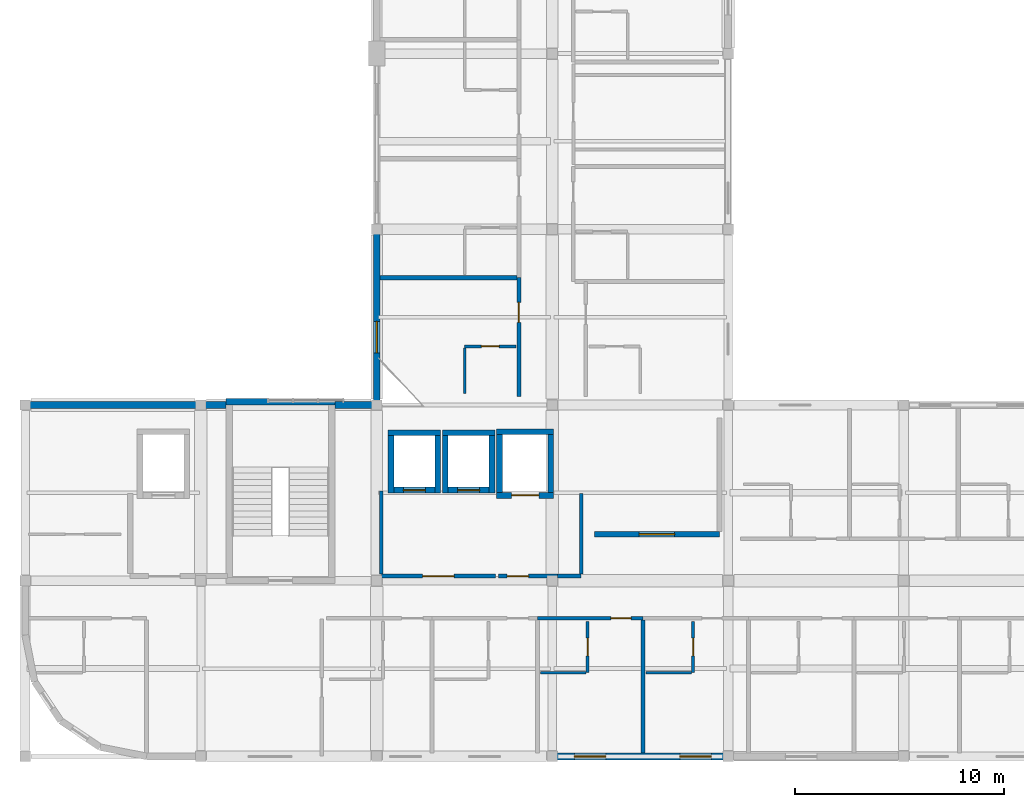
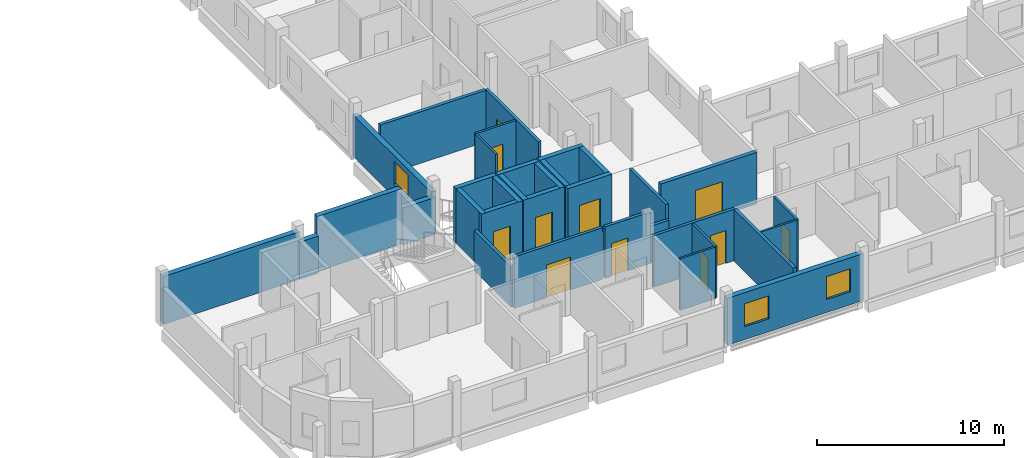
# One storey, part 10 of 20: 34 walls, 11 doors, 3 windows, 14 openings.
"""IFC4 building model written with IfcOpenShell, lengths in metres."""

from ifc_helpers import new_model, si_unit, derived_unit, direction, frame, frame_2d, origin, place, context, subcontext, project, spatial, rectangle, extrude, material, layer, layer_set, type_object, element, fill, save


model = new_model("IFC4")

# Units and contexts
model_context = context("Model", 3, precision=1e-05, world=origin(), true_north=direction((0.0, 1.0)))
body_context = subcontext(model_context, "Body", "Model", "MODEL_VIEW")
ifc_project = project(units=[si_unit("LENGTHUNIT", "METRE"), si_unit("AREAUNIT", "SQUARE_METRE"), si_unit("VOLUMEUNIT", "CUBIC_METRE"), si_unit("PLANEANGLEUNIT", "RADIAN"), si_unit("MASSUNIT", "GRAM", prefix="KILO"), derived_unit("THERMALTRANSMITTANCEUNIT", [(si_unit("POWERUNIT", "WATT"), 1), (si_unit("LENGTHUNIT", "METRE"), -2), (si_unit("THERMODYNAMICTEMPERATUREUNIT", "KELVIN"), -1)])], contexts=[model_context])

# Site, building, storey
site_placement = place(None, origin())
site = spatial("IfcSite", under=ifc_project, at=site_placement, CompositionType="ELEMENT")
building_placement = place(site_placement, origin())
building = spatial("IfcBuilding", under=site, at=building_placement, Name="Barrovel Congress Hotel", CompositionType="ELEMENT")
storey_placement = place(building_placement, frame((0.0, 0.0, 39.89990234375)))
storey = spatial("IfcBuildingStorey", under=building, at=storey_placement, Name="L10", CompositionType="ELEMENT", Elevation=39.89990234375)

# Walls
ifc_material_1 = material(Name="Fired Clay Brick Masonry", Category="masonry")
ifc_layer_1 = layer(ifc_material_1, 0.320068359375)
ifc_layer_set_1 = layer_set([ifc_layer_1], Name="Fired Clay Brick Masonry")
wall_type_1 = type_object("IfcWallType", Name="EW-BRK320", PredefinedType="STANDARD", material=ifc_layer_set_1)
wall_1_placement = place(storey_placement, frame((33.60009765625, 21.0, 0.0), z_axis=(0.0, 0.0, 1.0), x_axis=(-1.0, 0.0, 0.0)))
element("IfcWall", 1, at=wall_1_placement, inside=storey, type_object=wall_type_1, Name="EW:L10:HS-NW-1", PredefinedType="STANDARD", context=body_context, shape_type="SweptSolid", body=[
    extrude(rectangle(XDim=2.0, YDim=0.320068359375, at=frame_2d((1.0, 0.0))), origin(), (0.0, 0.0, 1.0), 2.43017578125),
])
wall_2_placement = place(storey_placement, frame((25.199951171875, 21.0, 0.0), z_axis=(0.0, 0.0, 1.0), x_axis=(-1.0, 0.0, 0.0)))
element("IfcWall", 2, at=wall_2_placement, inside=storey, type_object=wall_type_1, Name="EW:L10:HS-NW-2", PredefinedType="STANDARD", context=body_context, shape_type="SweptSolid", body=[
    extrude(rectangle(XDim=8.39990234375, YDim=0.320068359375, at=frame_2d((4.199951171875, 0.0))), origin(), (0.0, 0.0, 1.0), 3.1259765625),
])

# Wall, openings, windows
wall_3_placement = place(storey_placement, frame((42.0, 4.199951171875, 0.0), z_axis=(0.0, 0.0, 1.0), x_axis=(1.0, 0.0, 0.0)))
wall_3 = element("IfcWall", 3, at=wall_3_placement, inside=storey, type_object=wall_type_1, Name="EW:L10:HS-S:P03", PredefinedType="STANDARD", context=body_context, shape_type="SweptSolid", body=[
    extrude(rectangle(XDim=8.39990234375, YDim=0.320068359375, at=frame_2d((4.199951171875, 0.0))), origin(), (0.0, 0.0, 1.0), 3.0751953125),
])
opening_1_placement = place(wall_3_placement, frame((1.05712890625, 0.0, 0.85009765625)))
opening_1 = element("IfcOpeningElement", 4, at=opening_1_placement, cuts=wall_3, Name="Opening WN-07", PredefinedType="OPENING", context=body_context, shape_type="SweptSolid", body=[
    extrude(rectangle(XDim=1.5, YDim=1.5, at=frame_2d((0.75, 0.75))), frame((0.0, 0.169921875, 0.0), z_axis=(0.0, -1.0, 0.0), x_axis=(1.0, 0.0, 0.0)), (0.0, 0.0, 1.0), 0.340087890625),
])
opening_2_placement = place(wall_3_placement, frame((6.10009765625, 0.0, 0.85009765625)))
opening_2 = element("IfcOpeningElement", 5, at=opening_2_placement, cuts=wall_3, Name="Opening WN-07", PredefinedType="OPENING", context=body_context, shape_type="SweptSolid", body=[
    extrude(rectangle(XDim=1.5, YDim=1.5, at=frame_2d((0.75, 0.75))), frame((0.0, 0.169921875, 0.0), z_axis=(0.0, -1.0, 0.0), x_axis=(1.0, 0.0, 0.0)), (0.0, 0.0, 1.0), 0.340087890625),
])
ifc_material_2 = material(Name="Double Low-E Insulated Glazing", Category="glass")
window_type = type_object("IfcWindowType", Name="WIN-WN-07", PartitioningType="SINGLE_PANEL", PredefinedType="WINDOW", material=ifc_material_2)
window_1_placement = place(opening_1_placement, origin())
window_1 = element("IfcWindow", 6, at=window_1_placement, inside=storey, type_object=window_type, Name="WIN:L10:U04", OverallHeight=1.5, OverallWidth=1.5, PartitioningType="SINGLE_PANEL", PredefinedType="WINDOW", context=body_context, shape_type="SweptSolid", body=[
    extrude(rectangle(XDim=1.5, YDim=1.5, at=frame_2d((0.75, 0.75))), frame((0.0, 0.030029296875, 0.0), z_axis=(0.0, -1.0, 0.0), x_axis=(1.0, 0.0, 0.0)), (0.0, 0.0, 1.0), 0.06005859375),
])
fill(opening_1, window_1)
window_2_placement = place(opening_2_placement, origin())
window_2 = element("IfcWindow", 7, at=window_2_placement, inside=storey, type_object=window_type, Name="WIN:L10:U05", OverallHeight=1.5, OverallWidth=1.5, PartitioningType="SINGLE_PANEL", PredefinedType="WINDOW", context=body_context, shape_type="SweptSolid", body=[
    extrude(rectangle(XDim=1.5, YDim=1.5, at=frame_2d((0.75, 0.75))), frame((0.0, 0.030029296875, 0.0), z_axis=(0.0, -1.0, 0.0), x_axis=(1.0, 0.0, 0.0)), (0.0, 0.0, 1.0), 0.06005859375),
])
fill(opening_2, window_2)

# Wall, opening, window
wall_4_placement = place(storey_placement, frame((33.60009765625, 29.39990234375, 0.0), z_axis=(0.0, 0.0, 1.0), x_axis=(0.0, -1.0, 0.0)))
wall_4 = element("IfcWall", 8, at=wall_4_placement, inside=storey, type_object=wall_type_1, Name="EW:L10:HW-W:P05", PredefinedType="STANDARD", context=body_context, shape_type="SweptSolid", body=[
    extrude(rectangle(XDim=8.39990234375, YDim=0.320068359375, at=frame_2d((4.199951171875, 0.0))), origin(), (0.0, 0.0, 1.0), 2.72998046875),
])
opening_3_placement = place(wall_4_placement, frame((4.4072265625, 0.0, 0.85009765625)))
opening_3 = element("IfcOpeningElement", 9, at=opening_3_placement, cuts=wall_4, Name="Opening WN-07", PredefinedType="OPENING", context=body_context, shape_type="SweptSolid", body=[
    extrude(rectangle(XDim=1.5, YDim=1.5, at=frame_2d((0.75, 0.75))), frame((0.0, 0.169921875, 0.0), z_axis=(0.0, -1.0, 0.0), x_axis=(1.0, 0.0, 0.0)), (0.0, 0.0, 1.0), 0.340087890625),
])
window_3_placement = place(opening_3_placement, origin())
window_3 = element("IfcWindow", 10, at=window_3_placement, inside=storey, type_object=window_type, Name="WIN:L10:U25", OverallHeight=1.5, OverallWidth=1.5, PartitioningType="SINGLE_PANEL", PredefinedType="WINDOW", context=body_context, shape_type="SweptSolid", body=[
    extrude(rectangle(XDim=1.5, YDim=1.5, at=frame_2d((0.75, 0.75))), frame((0.0, 0.030029296875, 0.0), z_axis=(0.0, -1.0, 0.0), x_axis=(1.0, 0.0, 0.0)), (0.0, 0.0, 1.0), 0.06005859375),
])
fill(opening_3, window_3)

# Wall
wall_5_placement = place(storey_placement, frame((26.39990234375, 21.0, 0.0), z_axis=(0.0, 0.0, 1.0), x_axis=(-1.0, 0.0, 0.0)))
element("IfcWall", 11, at=wall_5_placement, inside=storey, type_object=wall_type_1, Name="EW:L10:HS-NW-2:P01", PredefinedType="STANDARD", context=body_context, shape_type="SweptSolid", body=[
    extrude(rectangle(XDim=1.199951171875, YDim=0.320068359375, at=frame_2d((0.60009765625, 0.0))), origin(), (0.0, 0.0, 1.0), 2.43017578125),
])

# Wall, opening, door
ifc_material_3 = material(Name="Gypsum Acoustic Stud", Category="gypsum")
ifc_layer_2 = layer(ifc_material_3, 0.179931640625)
ifc_layer_set_2 = layer_set([ifc_layer_2], Name="Gypsum Acoustic Stud")
wall_type_2 = type_object("IfcWallType", Name="PW-ACU-180", PredefinedType="PARTITIONING", material=ifc_layer_set_2)
wall_6_placement = place(storey_placement, frame((41.28564453125, 10.800048828125, 0.0), z_axis=(0.0, 0.0, 1.0), x_axis=(1.0, 0.0, 0.0)))
wall_6 = element("IfcWall", 12, at=wall_6_placement, inside=storey, type_object=wall_type_2, Name="PW:L10:U04:COR", PredefinedType="PARTITIONING", context=body_context, shape_type="SweptSolid", body=[
    extrude(rectangle(XDim=5.04296875, YDim=0.179931640625, at=frame_2d((2.521484375, 0.0))), origin(), (0.0, 0.0, 1.0), 3.375),
])
opening_4_placement = place(wall_6_placement, frame((3.513671875, 0.0, 0.0)))
opening_4 = element("IfcOpeningElement", 13, at=opening_4_placement, cuts=wall_6, Name="Opening ID-HTL", PredefinedType="OPENING", context=body_context, shape_type="SweptSolid", body=[
    extrude(rectangle(XDim=0.9599609375, YDim=2.14990234375, at=frame_2d((0.47998046875, 1.074951171875))), frame((0.0, 0.10009765625, 0.0), z_axis=(0.0, -1.0, 0.0), x_axis=(1.0, 0.0, 0.0)), (0.0, 0.0, 1.0), 0.199951171875),
])
ifc_material_4 = material(Name="Solid Oak Acoustic Timber Door", Category="wood")
door_type_1 = type_object("IfcDoorType", Name="IDR-ID-HTL", OperationType="NOTDEFINED", PredefinedType="DOOR", material=ifc_material_4)
door_1_placement = place(opening_4_placement, origin())
door_1 = element("IfcDoor", 14, at=door_1_placement, inside=storey, type_object=door_type_1, Name="DR:L10:U04:ENT", OperationType="SINGLE_SWING_RIGHT", OverallHeight=2.14990234375, OverallWidth=0.9599609375, PredefinedType="DOOR", context=body_context, shape_type="SweptSolid", body=[
    extrude(rectangle(XDim=0.9599609375, YDim=2.14990234375, at=frame_2d((0.47998046875, 1.074951171875))), frame((0.0, 0.02490234375, 0.0), z_axis=(0.0, -1.0, 0.0), x_axis=(1.0, 0.0, 0.0)), (0.0, 0.0, 1.0), 0.050048828125),
])
fill(opening_4, door_1)

wall_7_placement = place(storey_placement, frame((40.39990234375, 21.39990234375, 0.0), z_axis=(0.0, 0.0, 1.0), x_axis=(0.0, 1.0, 0.0)))
wall_7 = element("IfcWall", 15, at=wall_7_placement, inside=storey, type_object=wall_type_2, Name="PW:L10:U25:COR", PredefinedType="PARTITIONING", context=body_context, shape_type="SweptSolid", body=[
    extrude(rectangle(XDim=5.685791015625, YDim=0.179931640625, at=frame_2d((2.8427734375, 0.0))), origin(), (0.0, 0.0, 1.0), 3.375),
])
opening_5_placement = place(wall_7_placement, frame((3.5478515625, 0.0, 0.0)))
opening_5 = element("IfcOpeningElement", 16, at=opening_5_placement, cuts=wall_7, Name="Opening ID-HTL", PredefinedType="OPENING", context=body_context, shape_type="SweptSolid", body=[
    extrude(rectangle(XDim=0.9599609375, YDim=2.14990234375, at=frame_2d((0.47998046875, 1.074951171875))), frame((0.0, 0.10009765625, 0.0), z_axis=(0.0, -1.0, 0.0), x_axis=(1.0, 0.0, 0.0)), (0.0, 0.0, 1.0), 0.199951171875),
])
door_2_placement = place(opening_5_placement, origin())
door_2 = element("IfcDoor", 17, at=door_2_placement, inside=storey, type_object=door_type_1, Name="DR:L10:U25:ENT", OperationType="SINGLE_SWING_RIGHT", OverallHeight=2.14990234375, OverallWidth=0.9599609375, PredefinedType="DOOR", context=body_context, shape_type="SweptSolid", body=[
    extrude(rectangle(XDim=0.9599609375, YDim=2.14990234375, at=frame_2d((0.47998046875, 1.074951171875))), frame((0.0, 0.02490234375, 0.0), z_axis=(0.0, -1.0, 0.0), x_axis=(1.0, 0.0, 0.0)), (0.0, 0.0, 1.0), 0.050048828125),
])
fill(opening_5, door_2)

wall_8_placement = place(storey_placement, frame((33.820068359375, 12.820068359375, 0.0), z_axis=(0.0, 0.0, 1.0), x_axis=(1.0, 0.0, 0.0)))
wall_8 = element("IfcWall", 18, at=wall_8_placement, inside=storey, type_object=wall_type_2, Name="RW:SP:L10:LL-C1:S", PredefinedType="PARTITIONING", context=body_context, shape_type="SweptSolid", body=[
    extrude(rectangle(XDim=5.4599609375, YDim=0.179931640625, at=frame_2d((2.72998046875, 0.0))), origin(), (0.0, 0.0, 1.0), 3.375),
])
opening_6_placement = place(wall_8_placement, frame((1.97998046875, 0.0, 0.0)))
opening_6 = element("IfcOpeningElement", 19, at=opening_6_placement, cuts=wall_8, Name="Opening ID-FFL", PredefinedType="OPENING", context=body_context, shape_type="SweptSolid", body=[
    extrude(rectangle(XDim=1.5, YDim=2.14990234375, at=frame_2d((0.75, 1.074951171875))), frame((0.0, 0.10009765625, 0.0), z_axis=(0.0, -1.0, 0.0), x_axis=(1.0, 0.0, 0.0)), (0.0, 0.0, 1.0), 0.199951171875),
])
ifc_material_5 = material(Name="Painted Hollow-Metal Steel Door", Category="steel")
door_type_2 = type_object("IfcDoorType", Name="IDR-ID-FFL", OperationType="NOTDEFINED", PredefinedType="DOOR", material=ifc_material_5)
door_3_placement = place(opening_6_placement, origin())
door_3 = element("IfcDoor", 20, at=door_3_placement, inside=storey, type_object=door_type_2, Name="RD:SP:L10:LL-C1", OperationType="DOUBLE_DOOR_SINGLE_SWING", OverallHeight=2.14990234375, OverallWidth=1.5, PredefinedType="DOOR", context=body_context, shape_type="SweptSolid", body=[
    extrude(rectangle(XDim=1.5, YDim=2.14990234375, at=frame_2d((0.75, 1.074951171875))), frame((0.0, 0.02490234375, 0.0), z_axis=(0.0, -1.0, 0.0), x_axis=(1.0, 0.0, 0.0)), (0.0, 0.0, 1.0), 0.050048828125),
])
fill(opening_6, door_3)

# Wall
wall_9_placement = place(storey_placement, frame((33.820068359375, 12.909912109375, 0.0), z_axis=(0.0, 0.0, 1.0), x_axis=(0.0, 1.0, 0.0)))
element("IfcWall", 21, at=wall_9_placement, inside=storey, type_object=wall_type_2, Name="RW:SP:L10:LL-C1:W", PredefinedType="PARTITIONING", context=body_context, shape_type="SweptSolid", body=[
    extrude(rectangle(XDim=3.969970703125, YDim=0.179931640625, at=frame_2d((1.98486328125, 0.0))), origin(), (0.0, 0.0, 1.0), 2.630126953125),
])

# Wall, opening, door
wall_10_placement = place(storey_placement, frame((39.419921875, 12.820068359375, 0.0), z_axis=(0.0, 0.0, 1.0), x_axis=(1.0, 0.0, 0.0)))
wall_10 = element("IfcWall", 22, at=wall_10_placement, inside=storey, type_object=wall_type_2, Name="RW:SP:L10:LL-SL1:S", PredefinedType="PARTITIONING", context=body_context, shape_type="SweptSolid", body=[
    extrude(rectangle(XDim=2.830078125, YDim=0.179931640625, at=frame_2d((1.4150390625, 0.0))), origin(), (0.0, 0.0, 1.0), 3.375),
])
opening_7_placement = place(wall_10_placement, frame((0.419921875, 0.0, 0.0)))
opening_7 = element("IfcOpeningElement", 23, at=opening_7_placement, cuts=wall_10, Name="Opening ID-ACC", PredefinedType="OPENING", context=body_context, shape_type="SweptSolid", body=[
    extrude(rectangle(XDim=1.02001953125, YDim=2.14990234375, at=frame_2d((0.510009765625, 1.074951171875))), frame((0.0, 0.10009765625, 0.0), z_axis=(0.0, -1.0, 0.0), x_axis=(1.0, 0.0, 0.0)), (0.0, 0.0, 1.0), 0.199951171875),
])
door_type_3 = type_object("IfcDoorType", Name="IDR-ID-ACC", OperationType="NOTDEFINED", PredefinedType="DOOR", material=ifc_material_4)
door_4_placement = place(opening_7_placement, origin())
door_4 = element("IfcDoor", 24, at=door_4_placement, inside=storey, type_object=door_type_3, Name="RD:SP:L10:LL-SL1", OperationType="SINGLE_SWING_LEFT", OverallHeight=2.14990234375, OverallWidth=1.02001953125, PredefinedType="DOOR", context=body_context, shape_type="SweptSolid", body=[
    extrude(rectangle(XDim=1.02001953125, YDim=2.14990234375, at=frame_2d((0.510009765625, 1.074951171875))), frame((0.0, 0.02490234375, 0.0), z_axis=(0.0, -1.0, 0.0), x_axis=(1.0, 0.0, 0.0)), (0.0, 0.0, 1.0), 0.050048828125),
])
fill(opening_7, door_4)

# Walls
wall_11_placement = place(storey_placement, frame((43.3798828125, 12.909912109375, 0.0), z_axis=(0.0, 0.0, 1.0), x_axis=(0.0, 1.0, 0.0)))
element("IfcWall", 25, at=wall_11_placement, inside=storey, type_object=wall_type_2, Name="RW:SP:L10:LL-SL1:E", PredefinedType="PARTITIONING", context=body_context, shape_type="SweptSolid", body=[
    extrude(rectangle(XDim=3.8701171875, YDim=0.179931640625, at=frame_2d((1.93505859375, 0.0))), origin(), (0.0, 0.0, 1.0), 3.375),
])
wall_12_placement = place(storey_placement, frame((42.25, 12.820068359375, 0.0), z_axis=(0.0, 0.0, 1.0), x_axis=(1.0, 0.0, 0.0)))
element("IfcWall", 26, at=wall_12_placement, inside=storey, type_object=wall_type_2, Name="RW:SP:L10:LL-SL1:S:P02", PredefinedType="PARTITIONING", context=body_context, shape_type="SweptSolid", body=[
    extrude(rectangle(XDim=1.1298828125, YDim=0.179931640625, at=frame_2d((0.56494140625, 0.0))), origin(), (0.0, 0.0, 1.0), 2.43017578125),
])
ifc_layer_3 = layer(ifc_material_3, 0.1201171875)
ifc_layer_set_3 = layer_set([ifc_layer_3], Name="Gypsum Acoustic Stud")
wall_type_3 = type_object("IfcWallType", Name="PW-INT-120", PredefinedType="PARTITIONING", material=ifc_layer_set_3)
wall_13_placement = place(storey_placement, frame((41.42578125, 8.199951171875, 0.0), z_axis=(0.0, 0.0, 1.0), x_axis=(1.0, 0.0, 0.0)))
element("IfcWall", 27, at=wall_13_placement, inside=storey, type_object=wall_type_3, Name="PW:L10:U04:B2", PredefinedType="PARTITIONING", context=body_context, shape_type="SweptSolid", body=[
    extrude(rectangle(XDim=2.18994140625, YDim=0.1201171875, at=frame_2d((1.094970703125, 0.0))), origin(), (0.0, 0.0, 1.0), 3.375),
])
wall_14_placement = place(storey_placement, frame((46.468505859375, 8.199951171875, 0.0), z_axis=(0.0, 0.0, 1.0), x_axis=(1.0, 0.0, 0.0)))
element("IfcWall", 28, at=wall_14_placement, inside=storey, type_object=wall_type_3, Name="PW:L10:U05:B2", PredefinedType="PARTITIONING", context=body_context, shape_type="SweptSolid", body=[
    extrude(rectangle(XDim=2.190185546875, YDim=0.1201171875, at=frame_2d((1.09521484375, 0.0))), origin(), (0.0, 0.0, 1.0), 3.375),
])
wall_15_placement = place(storey_placement, frame((37.800048828125, 21.5400390625, 0.0), z_axis=(0.0, 0.0, 1.0), x_axis=(0.0, 1.0, 0.0)))
element("IfcWall", 29, at=wall_15_placement, inside=storey, type_object=wall_type_3, Name="PW:L10:U25:B2", PredefinedType="PARTITIONING", context=body_context, shape_type="SweptSolid", body=[
    extrude(rectangle(XDim=2.18994140625, YDim=0.1201171875, at=frame_2d((1.094970703125, 0.0))), origin(), (0.0, 0.0, 1.0), 3.375),
])
ifc_layer_4 = layer(ifc_material_1, 0.199951171875)
ifc_layer_set_4 = layer_set([ifc_layer_4], Name="Fired Clay Brick Masonry")
wall_type_4 = type_object("IfcWallType", Name="PW-MAS-200", PredefinedType="PARTITIONING", material=ifc_layer_set_4)
wall_16_placement = place(storey_placement, frame((46.32861328125, 4.360107421875, 0.0), z_axis=(0.0, 0.0, 1.0), x_axis=(0.0, 1.0, 0.0)))
element("IfcWall", 30, at=wall_16_placement, inside=storey, type_object=wall_type_4, Name="PW:L10:U04:DEM", PredefinedType="PARTITIONING", context=body_context, shape_type="SweptSolid", body=[
    extrude(rectangle(XDim=6.349853515625, YDim=0.199951171875, at=frame_2d((3.1748046875, 0.0))), origin(), (0.0, 0.0, 1.0), 3.375),
])
wall_17_placement = place(storey_placement, frame((33.760009765625, 27.085693359375, 0.0), z_axis=(0.0, 0.0, 1.0), x_axis=(1.0, 0.0, 0.0)))
element("IfcWall", 31, at=wall_17_placement, inside=storey, type_object=wall_type_4, Name="PW:L10:U25:DEM", PredefinedType="PARTITIONING", context=body_context, shape_type="SweptSolid", body=[
    extrude(rectangle(XDim=6.550048828125, YDim=0.199951171875, at=frame_2d((3.27490234375, 0.0))), origin(), (0.0, 0.0, 1.0), 3.375),
])

# Wall, opening, door
ifc_layer_5 = layer(ifc_material_1, 0.239990234375)
ifc_layer_set_5 = layer_set([ifc_layer_5], Name="Fired Clay Brick Masonry")
wall_type_5 = type_object("IfcWallType", Name="PW-MAS-240", PredefinedType="PARTITIONING", material=ifc_layer_set_5)
wall_18_placement = place(storey_placement, frame((44.02001953125, 14.820068359375, 0.0), z_axis=(0.0, 0.0, 1.0), x_axis=(1.0, 0.0, 0.0)))
wall_18 = element("IfcWall", 32, at=wall_18_placement, inside=storey, type_object=wall_type_5, Name="RW:SP:L10:LINEN:S", PredefinedType="PARTITIONING", context=body_context, shape_type="SweptSolid", body=[
    extrude(rectangle(XDim=5.9599609375, YDim=0.239990234375, at=frame_2d((2.97998046875, 0.0))), origin(), (0.0, 0.0, 1.0), 3.375),
])
opening_8_placement = place(wall_18_placement, frame((2.1298828125, 0.0, 0.0)))
opening_8 = element("IfcOpeningElement", 33, at=opening_8_placement, cuts=wall_18, Name="Opening ID-KIT", PredefinedType="OPENING", context=body_context, shape_type="SweptSolid", body=[
    extrude(rectangle(XDim=1.699951171875, YDim=2.199951171875, at=frame_2d((0.85009765625, 1.10009765625))), frame((0.0, 0.1298828125, 0.0), z_axis=(0.0, -1.0, 0.0), x_axis=(1.0, 0.0, 0.0)), (0.0, 0.0, 1.0), 0.260009765625),
])
ifc_material_6 = material(Name="Brushed Stainless Steel", Category="steel")
door_type_4 = type_object("IfcDoorType", Name="IDR-ID-KIT", OperationType="NOTDEFINED", PredefinedType="DOOR", material=ifc_material_6)
door_5_placement = place(opening_8_placement, origin())
door_5 = element("IfcDoor", 34, at=door_5_placement, inside=storey, type_object=door_type_4, Name="RD:SP:L10:LINEN", OperationType="DOUBLE_DOOR_SINGLE_SWING", OverallHeight=2.199951171875, OverallWidth=1.699951171875, PredefinedType="DOOR", context=body_context, shape_type="SweptSolid", body=[
    extrude(rectangle(XDim=1.699951171875, YDim=2.199951171875, at=frame_2d((0.85009765625, 1.10009765625))), frame((0.0, 0.02490234375, 0.0), z_axis=(0.0, -1.0, 0.0), x_axis=(1.0, 0.0, 0.0)), (0.0, 0.0, 1.0), 0.050048828125),
])
fill(opening_8, door_5)

ifc_material_7 = material(Name="Gypsum Moisture Board", Category="gypsum")
ifc_layer_6 = layer(ifc_material_7, 0.139892578125)
ifc_layer_set_6 = layer_set([ifc_layer_6], Name="Gypsum Moisture Board")
wall_type_6 = type_object("IfcWallType", Name="PW-WET-140", PredefinedType="PARTITIONING", material=ifc_layer_set_6)
wall_19_placement = place(storey_placement, frame((43.685791015625, 8.199951171875, 0.0), z_axis=(0.0, 0.0, 1.0), x_axis=(0.0, 1.0, 0.0)))
wall_19 = element("IfcWall", 35, at=wall_19_placement, inside=storey, type_object=wall_type_6, Name="PW:L10:U04:B1", PredefinedType="PARTITIONING", context=body_context, shape_type="SweptSolid", body=[
    extrude(rectangle(XDim=2.4599609375, YDim=0.139892578125, at=frame_2d((1.22998046875, 0.0))), origin(), (0.0, 0.0, 1.0), 3.375),
])
opening_9_placement = place(wall_19_placement, frame((0.800048828125, 0.0, 0.0)))
opening_9 = element("IfcOpeningElement", 36, at=opening_9_placement, cuts=wall_19, Name="Opening ID-ENS", PredefinedType="OPENING", context=body_context, shape_type="SweptSolid", body=[
    extrude(rectangle(XDim=0.860107421875, YDim=2.10009765625, at=frame_2d((0.43017578125, 1.050048828125))), frame((0.0, 0.080078125, 0.0), z_axis=(0.0, -1.0, 0.0), x_axis=(1.0, 0.0, 0.0)), (0.0, 0.0, 1.0), 0.159912109375),
])
ifc_material_8 = material(Name="Lacquered Timber Moisture Door", Category="wood")
door_type_5 = type_object("IfcDoorType", Name="IDR-ID-ENS", OperationType="NOTDEFINED", PredefinedType="DOOR", material=ifc_material_8)
door_6_placement = place(opening_9_placement, origin())
door_6 = element("IfcDoor", 37, at=door_6_placement, inside=storey, type_object=door_type_5, Name="DR:L10:U04:ENS", OperationType="SINGLE_SWING_LEFT", OverallHeight=2.10009765625, OverallWidth=0.860107421875, PredefinedType="DOOR", context=body_context, shape_type="SweptSolid", body=[
    extrude(rectangle(XDim=0.860107421875, YDim=2.10009765625, at=frame_2d((0.43017578125, 1.050048828125))), frame((0.0, 0.02490234375, 0.0), z_axis=(0.0, -1.0, 0.0), x_axis=(1.0, 0.0, 0.0)), (0.0, 0.0, 1.0), 0.050048828125),
])
fill(opening_9, door_6)

wall_20_placement = place(storey_placement, frame((48.728515625, 8.199951171875, 0.0), z_axis=(0.0, 0.0, 1.0), x_axis=(0.0, 1.0, 0.0)))
wall_20 = element("IfcWall", 38, at=wall_20_placement, inside=storey, type_object=wall_type_6, Name="PW:L10:U05:B1", PredefinedType="PARTITIONING", context=body_context, shape_type="SweptSolid", body=[
    extrude(rectangle(XDim=2.4599609375, YDim=0.139892578125, at=frame_2d((1.22998046875, 0.0))), origin(), (0.0, 0.0, 1.0), 3.375),
])
opening_10_placement = place(wall_20_placement, frame((0.800048828125, 0.0, 0.0)))
opening_10 = element("IfcOpeningElement", 39, at=opening_10_placement, cuts=wall_20, Name="Opening ID-ENS", PredefinedType="OPENING", context=body_context, shape_type="SweptSolid", body=[
    extrude(rectangle(XDim=0.860107421875, YDim=2.10009765625, at=frame_2d((0.43017578125, 1.050048828125))), frame((0.0, 0.080078125, 0.0), z_axis=(0.0, -1.0, 0.0), x_axis=(1.0, 0.0, 0.0)), (0.0, 0.0, 1.0), 0.159912109375),
])
door_7_placement = place(opening_10_placement, origin())
door_7 = element("IfcDoor", 40, at=door_7_placement, inside=storey, type_object=door_type_5, Name="DR:L10:U05:ENS", OperationType="SINGLE_SWING_LEFT", OverallHeight=2.10009765625, OverallWidth=0.860107421875, PredefinedType="DOOR", context=body_context, shape_type="SweptSolid", body=[
    extrude(rectangle(XDim=0.860107421875, YDim=2.10009765625, at=frame_2d((0.43017578125, 1.050048828125))), frame((0.0, 0.02490234375, 0.0), z_axis=(0.0, -1.0, 0.0), x_axis=(1.0, 0.0, 0.0)), (0.0, 0.0, 1.0), 0.050048828125),
])
fill(opening_10, door_7)

wall_21_placement = place(storey_placement, frame((37.800048828125, 23.800048828125, 0.0), z_axis=(0.0, 0.0, 1.0), x_axis=(1.0, 0.0, 0.0)))
wall_21 = element("IfcWall", 41, at=wall_21_placement, inside=storey, type_object=wall_type_6, Name="PW:L10:U25:B1", PredefinedType="PARTITIONING", context=body_context, shape_type="SweptSolid", body=[
    extrude(rectangle(XDim=2.4599609375, YDim=0.139892578125, at=frame_2d((1.22998046875, 0.0))), origin(), (0.0, 0.0, 1.0), 3.375),
])
opening_11_placement = place(wall_21_placement, frame((0.800048828125, 0.0, 0.0)))
opening_11 = element("IfcOpeningElement", 42, at=opening_11_placement, cuts=wall_21, Name="Opening ID-ENS", PredefinedType="OPENING", context=body_context, shape_type="SweptSolid", body=[
    extrude(rectangle(XDim=0.860107421875, YDim=2.10009765625, at=frame_2d((0.43017578125, 1.050048828125))), frame((0.0, 0.080078125, 0.0), z_axis=(0.0, -1.0, 0.0), x_axis=(1.0, 0.0, 0.0)), (0.0, 0.0, 1.0), 0.159912109375),
])
door_8_placement = place(opening_11_placement, origin())
door_8 = element("IfcDoor", 43, at=door_8_placement, inside=storey, type_object=door_type_5, Name="DR:L10:U25:ENS", OperationType="SINGLE_SWING_LEFT", OverallHeight=2.10009765625, OverallWidth=0.860107421875, PredefinedType="DOOR", context=body_context, shape_type="SweptSolid", body=[
    extrude(rectangle(XDim=0.860107421875, YDim=2.10009765625, at=frame_2d((0.43017578125, 1.050048828125))), frame((0.0, 0.02490234375, 0.0), z_axis=(0.0, -1.0, 0.0), x_axis=(1.0, 0.0, 0.0)), (0.0, 0.0, 1.0), 0.050048828125),
])
fill(opening_11, door_8)

ifc_material_9 = material(Name="Concrete C40", Category="concrete")
ifc_layer_7 = layer(ifc_material_9, 0.280029296875)
ifc_layer_set_7 = layer_set([ifc_layer_7], Name="Concrete C40")
wall_type_7 = type_object("IfcWallType", Name="SW-C40-280", PredefinedType="SHEAR", material=ifc_layer_set_7)
wall_22_placement = place(storey_placement, frame((34.139892578125, 16.929931640625, 0.0), z_axis=(0.0, 0.0, 1.0), x_axis=(1.0, 0.0, 0.0)))
wall_22 = element("IfcWall", 44, at=wall_22_placement, inside=storey, type_object=wall_type_7, Name="LSH:PL-1:L10:S", PredefinedType="SHEAR", context=body_context, shape_type="SweptSolid", body=[
    extrude(rectangle(XDim=2.52001953125, YDim=0.280029296875, at=frame_2d((1.260009765625, 0.0))), origin(), (0.0, 0.0, 1.0), 3.60009765625),
])
opening_12_placement = place(wall_22_placement, frame((0.735107421875, 0.0, 0.0)))
opening_12 = element("IfcOpeningElement", 45, at=opening_12_placement, cuts=wall_22, Name="Opening LD-PAX", PredefinedType="OPENING", context=body_context, shape_type="SweptSolid", body=[
    extrude(rectangle(XDim=1.050048828125, YDim=2.199951171875, at=frame_2d((0.52490234375, 1.10009765625))), frame((0.0, 0.14990234375, 0.0), z_axis=(0.0, -1.0, 0.0), x_axis=(1.0, 0.0, 0.0)), (0.0, 0.0, 1.0), 0.300048828125),
])
door_type_6 = type_object("IfcDoorType", Name="IDR-LD-PAX", OperationType="NOTDEFINED", PredefinedType="DOOR", material=ifc_material_6)
door_9_placement = place(opening_12_placement, origin())
door_9 = element("IfcDoor", 46, at=door_9_placement, inside=storey, type_object=door_type_6, Name="Lift Landing Door LD-PL-1-L10", OperationType="SLIDING_TO_LEFT", OverallHeight=2.199951171875, OverallWidth=1.050048828125, PredefinedType="DOOR", context=body_context, shape_type="SweptSolid", body=[
    extrude(rectangle(XDim=1.050048828125, YDim=2.199951171875, at=frame_2d((0.52490234375, 1.10009765625))), frame((0.0, 0.02490234375, 0.0), z_axis=(0.0, -1.0, 0.0), x_axis=(1.0, 0.0, 0.0)), (0.0, 0.0, 1.0), 0.050048828125),
])
fill(opening_12, door_9)

# Walls
wall_23_placement = place(storey_placement, frame((36.52001953125, 16.7900390625, 0.0), z_axis=(0.0, 0.0, 1.0), x_axis=(0.0, 1.0, 0.0)))
element("IfcWall", 47, at=wall_23_placement, inside=storey, type_object=wall_type_7, Name="LSH:PL-1:L10:E", PredefinedType="SHEAR", context=body_context, shape_type="SweptSolid", body=[
    extrude(rectangle(XDim=3.02001953125, YDim=0.280029296875, at=frame_2d((1.510009765625, 0.0))), origin(), (0.0, 0.0, 1.0), 3.60009765625),
])
wall_24_placement = place(storey_placement, frame((36.659912109375, 19.669921875, 0.0), z_axis=(0.0, 0.0, 1.0), x_axis=(-1.0, 0.0, 0.0)))
element("IfcWall", 48, at=wall_24_placement, inside=storey, type_object=wall_type_7, Name="LSH:PL-1:L10:N", PredefinedType="SHEAR", context=body_context, shape_type="SweptSolid", body=[
    extrude(rectangle(XDim=2.52001953125, YDim=0.280029296875, at=frame_2d((1.260009765625, 0.0))), origin(), (0.0, 0.0, 1.0), 3.60009765625),
])
wall_25_placement = place(storey_placement, frame((34.280029296875, 19.81005859375, 0.0), z_axis=(0.0, 0.0, 1.0), x_axis=(0.0, -1.0, 0.0)))
element("IfcWall", 49, at=wall_25_placement, inside=storey, type_object=wall_type_7, Name="LSH:PL-1:L10:W", PredefinedType="SHEAR", context=body_context, shape_type="SweptSolid", body=[
    extrude(rectangle(XDim=3.02001953125, YDim=0.280029296875, at=frame_2d((1.510009765625, 0.0))), origin(), (0.0, 0.0, 1.0), 3.60009765625),
])

# Wall, opening, door
wall_26_placement = place(storey_placement, frame((36.739990234375, 16.929931640625, 0.0), z_axis=(0.0, 0.0, 1.0), x_axis=(1.0, 0.0, 0.0)))
wall_26 = element("IfcWall", 50, at=wall_26_placement, inside=storey, type_object=wall_type_7, Name="LSH:PL-2:L10:S", PredefinedType="SHEAR", context=body_context, shape_type="SweptSolid", body=[
    extrude(rectangle(XDim=2.52001953125, YDim=0.280029296875, at=frame_2d((1.260009765625, 0.0))), origin(), (0.0, 0.0, 1.0), 3.60009765625),
])
opening_13_placement = place(wall_26_placement, frame((0.735107421875, 0.0, 0.0)))
opening_13 = element("IfcOpeningElement", 51, at=opening_13_placement, cuts=wall_26, Name="Opening LD-PAX", PredefinedType="OPENING", context=body_context, shape_type="SweptSolid", body=[
    extrude(rectangle(XDim=1.050048828125, YDim=2.199951171875, at=frame_2d((0.52490234375, 1.10009765625))), frame((0.0, 0.14990234375, 0.0), z_axis=(0.0, -1.0, 0.0), x_axis=(1.0, 0.0, 0.0)), (0.0, 0.0, 1.0), 0.300048828125),
])
door_10_placement = place(opening_13_placement, origin())
door_10 = element("IfcDoor", 52, at=door_10_placement, inside=storey, type_object=door_type_6, Name="Lift Landing Door LD-PL-2-L10", OperationType="SLIDING_TO_LEFT", OverallHeight=2.199951171875, OverallWidth=1.050048828125, PredefinedType="DOOR", context=body_context, shape_type="SweptSolid", body=[
    extrude(rectangle(XDim=1.050048828125, YDim=2.199951171875, at=frame_2d((0.52490234375, 1.10009765625))), frame((0.0, 0.02490234375, 0.0), z_axis=(0.0, -1.0, 0.0), x_axis=(1.0, 0.0, 0.0)), (0.0, 0.0, 1.0), 0.050048828125),
])
fill(opening_13, door_10)

# Walls
wall_27_placement = place(storey_placement, frame((39.1201171875, 16.7900390625, 0.0), z_axis=(0.0, 0.0, 1.0), x_axis=(0.0, 1.0, 0.0)))
element("IfcWall", 53, at=wall_27_placement, inside=storey, type_object=wall_type_7, Name="LSH:PL-2:L10:E", PredefinedType="SHEAR", context=body_context, shape_type="SweptSolid", body=[
    extrude(rectangle(XDim=3.02001953125, YDim=0.280029296875, at=frame_2d((1.510009765625, 0.0))), origin(), (0.0, 0.0, 1.0), 3.60009765625),
])
wall_28_placement = place(storey_placement, frame((39.260009765625, 19.669921875, 0.0), z_axis=(0.0, 0.0, 1.0), x_axis=(-1.0, 0.0, 0.0)))
element("IfcWall", 54, at=wall_28_placement, inside=storey, type_object=wall_type_7, Name="LSH:PL-2:L10:N", PredefinedType="SHEAR", context=body_context, shape_type="SweptSolid", body=[
    extrude(rectangle(XDim=2.52001953125, YDim=0.280029296875, at=frame_2d((1.260009765625, 0.0))), origin(), (0.0, 0.0, 1.0), 3.60009765625),
])
wall_29_placement = place(storey_placement, frame((36.8798828125, 19.81005859375, 0.0), z_axis=(0.0, 0.0, 1.0), x_axis=(0.0, -1.0, 0.0)))
element("IfcWall", 55, at=wall_29_placement, inside=storey, type_object=wall_type_7, Name="LSH:PL-2:L10:W", PredefinedType="SHEAR", context=body_context, shape_type="SweptSolid", body=[
    extrude(rectangle(XDim=3.02001953125, YDim=0.280029296875, at=frame_2d((1.510009765625, 0.0))), origin(), (0.0, 0.0, 1.0), 3.60009765625),
])

# Wall, opening, door
wall_30_placement = place(storey_placement, frame((39.340087890625, 16.679931640625, 0.0), z_axis=(0.0, 0.0, 1.0), x_axis=(1.0, 0.0, 0.0)))
wall_30 = element("IfcWall", 56, at=wall_30_placement, inside=storey, type_object=wall_type_7, Name="LSH:SL-1:L10:S", PredefinedType="SHEAR", context=body_context, shape_type="SweptSolid", body=[
    extrude(rectangle(XDim=2.719970703125, YDim=0.280029296875, at=frame_2d((1.35986328125, 0.0))), origin(), (0.0, 0.0, 1.0), 3.60009765625),
])
opening_14_placement = place(wall_30_placement, frame((0.7099609375, 0.0, 0.0)))
opening_14 = element("IfcOpeningElement", 57, at=opening_14_placement, cuts=wall_30, Name="Opening LD-SRV", PredefinedType="OPENING", context=body_context, shape_type="SweptSolid", body=[
    extrude(rectangle(XDim=1.300048828125, YDim=2.25, at=frame_2d((0.64990234375, 1.125))), frame((0.0, 0.14990234375, 0.0), z_axis=(0.0, -1.0, 0.0), x_axis=(1.0, 0.0, 0.0)), (0.0, 0.0, 1.0), 0.300048828125),
])
door_type_7 = type_object("IfcDoorType", Name="IDR-LD-SRV", OperationType="NOTDEFINED", PredefinedType="DOOR", material=ifc_material_6)
door_11_placement = place(opening_14_placement, origin())
door_11 = element("IfcDoor", 58, at=door_11_placement, inside=storey, type_object=door_type_7, Name="Lift Landing Door LD-SL-1-L10", OperationType="SLIDING_TO_LEFT", OverallHeight=2.25, OverallWidth=1.300048828125, PredefinedType="DOOR", context=body_context, shape_type="SweptSolid", body=[
    extrude(rectangle(XDim=1.300048828125, YDim=2.25, at=frame_2d((0.64990234375, 1.125))), frame((0.0, 0.02490234375, 0.0), z_axis=(0.0, -1.0, 0.0), x_axis=(1.0, 0.0, 0.0)), (0.0, 0.0, 1.0), 0.050048828125),
])
fill(opening_14, door_11)

# Walls
wall_31_placement = place(storey_placement, frame((41.919921875, 16.5400390625, 0.0), z_axis=(0.0, 0.0, 1.0), x_axis=(0.0, 1.0, 0.0)))
element("IfcWall", 59, at=wall_31_placement, inside=storey, type_object=wall_type_7, Name="LSH:SL-1:L10:E", PredefinedType="SHEAR", context=body_context, shape_type="SweptSolid", body=[
    extrude(rectangle(XDim=3.320068359375, YDim=0.280029296875, at=frame_2d((1.66015625, 0.0))), origin(), (0.0, 0.0, 1.0), 3.60009765625),
])
wall_32_placement = place(storey_placement, frame((42.06005859375, 19.719970703125, 0.0), z_axis=(0.0, 0.0, 1.0), x_axis=(-1.0, 0.0, 0.0)))
element("IfcWall", 60, at=wall_32_placement, inside=storey, type_object=wall_type_7, Name="LSH:SL-1:L10:N", PredefinedType="SHEAR", context=body_context, shape_type="SweptSolid", body=[
    extrude(rectangle(XDim=2.719970703125, YDim=0.280029296875, at=frame_2d((1.35986328125, 0.0))), origin(), (0.0, 0.0, 1.0), 3.60009765625),
])
wall_33_placement = place(storey_placement, frame((39.47998046875, 19.860107421875, 0.0), z_axis=(0.0, 0.0, 1.0), x_axis=(0.0, -1.0, 0.0)))
element("IfcWall", 61, at=wall_33_placement, inside=storey, type_object=wall_type_7, Name="LSH:SL-1:L10:W", PredefinedType="SHEAR", context=body_context, shape_type="SweptSolid", body=[
    extrude(rectangle(XDim=3.320068359375, YDim=0.280029296875, at=frame_2d((1.66015625, 0.0))), origin(), (0.0, 0.0, 1.0), 3.60009765625),
])
ifc_layer_8 = layer(ifc_material_9, 0.300048828125)
ifc_layer_set_8 = layer_set([ifc_layer_8], Name="Concrete C40")
wall_type_8 = type_object("IfcWallType", Name="SW-C40-300", PredefinedType="SHEAR", material=ifc_layer_set_8)
wall_34_placement = place(storey_placement, frame((31.60009765625, 21.14990234375, 0.0), z_axis=(0.0, 0.0, 1.0), x_axis=(-1.0, 0.0, 0.0)))
element("IfcWall", 62, at=wall_34_placement, inside=storey, type_object=wall_type_8, Name="SHW:XS-01:L10:N", PredefinedType="SHEAR", context=body_context, shape_type="SweptSolid", body=[
    extrude(rectangle(XDim=5.2001953125, YDim=0.300048828125, at=frame_2d((2.60009765625, 0.0))), origin(), (0.0, 0.0, 1.0), 3.60009765625),
])

save(model, "model.ifc")
